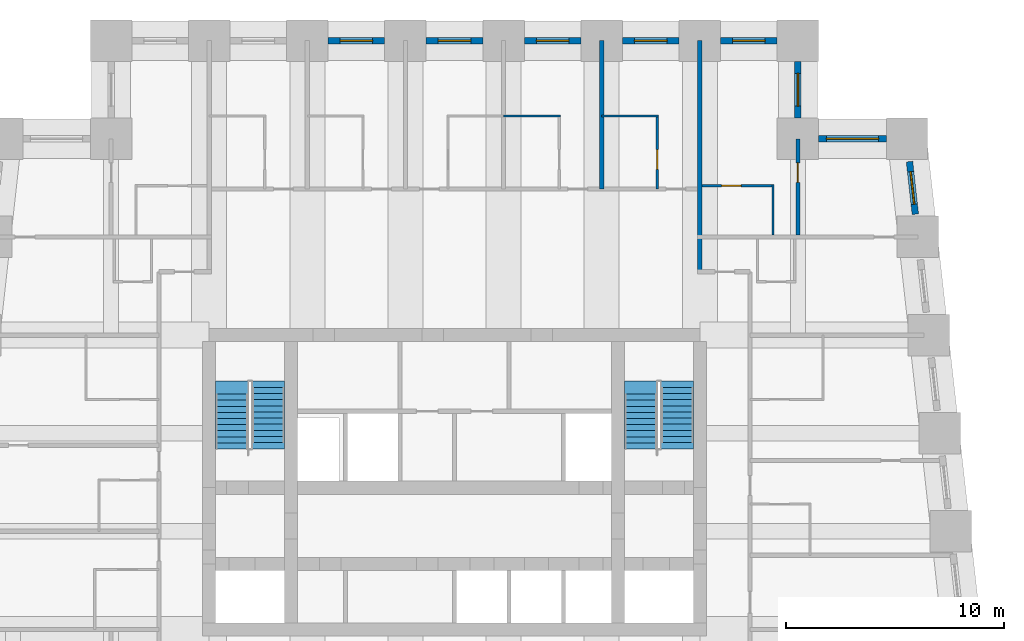
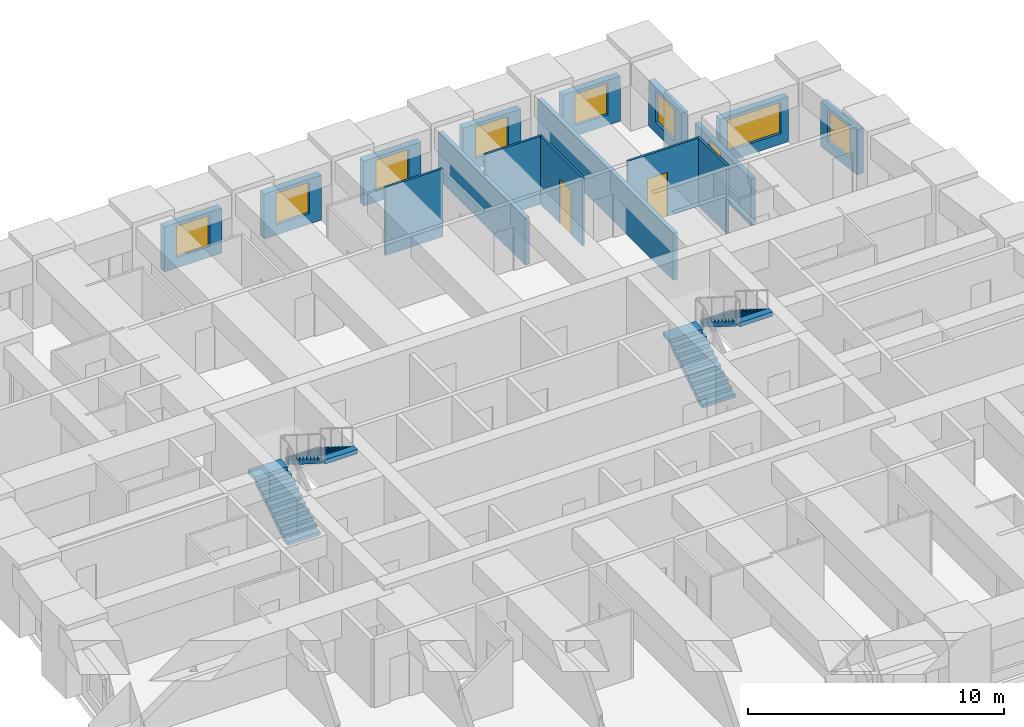
# One storey, part 7 of 8: 16 walls, 8 windows, 4 stair flights, 3 doors, 11 openings, 2 elements without a shape of their own.
"""IFC4 building model written with IfcOpenShell, lengths in metres."""

import ifcopenshell
import ifcopenshell.guid

model = None  # the IFC model being written
_history = None  # IfcOwnerHistory: only IFC2X3 demands one
_inside = {}  # id of a spatial element -> (the spatial element, [elements in it])
_under = {}  # id of a project, library or spatial element -> (it, [spatial elements below it])
_declared = {}  # id of a project -> (the project, [libraries it declares])
_typed = {}  # id of a type object -> (the type object, [elements of that type])
_made_of = {}  # id of a material, layer set ... -> (it, [elements and type objects made of it])


def new_model(schema):
    """Start an empty IFC model of exactly this schema.

    Asked for "IFC4X3", IfcOpenShell would pick the latest addendum, in which some entities
    have other attributes; the version numbers below select the first issue.
    IFC2X3 requires an IfcOwnerHistory on every rooted entity: one is made here for all.
    """
    global model, _history
    if schema == "IFC4X3":
        model = ifcopenshell.file(schema_version=(4, 3, 0, 0))
    else:
        model = ifcopenshell.file(schema=schema)
    _inside.clear()
    _under.clear()
    _declared.clear()
    _typed.clear()
    _made_of.clear()
    _history = None
    if model.schema == "IFC2X3":
        org = make("IfcOrganization", Name="unknown")
        user = make(
            "IfcPersonAndOrganization",
            ThePerson=make("IfcPerson", FamilyName="unknown"),
            TheOrganization=org,
        )
        app = make(
            "IfcApplication",
            ApplicationDeveloper=org,
            Version="unknown",
            ApplicationFullName="unknown",
            ApplicationIdentifier="unknown",
        )
        _history = make(
            "IfcOwnerHistory",
            OwningUser=user,
            OwningApplication=app,
            ChangeAction="ADDED",
            CreationDate=0,
        )
    return model


def make(cls, **values):
    """One entity of the class cls with the attributes given. An attribute that is None is left unset."""
    return model.create_entity(
        cls, **{name: value for name, value in values.items() if value is not None}
    )


def rooted(cls, **values):
    """An entity with a GlobalId (a new one), such as an element, a storey or a relation."""
    return make(cls, GlobalId=ifcopenshell.guid.new(), OwnerHistory=_history, **values)


def si_unit(unit_type, name, prefix=None):
    """IfcSIUnit, for example si_unit("LENGTHUNIT", "METRE", prefix="MILLI")."""
    return make("IfcSIUnit", UnitType=unit_type, Prefix=prefix, Name=name)


def assignment(units):
    """IfcUnitAssignment: the units of a project."""
    return None if units is None else make("IfcUnitAssignment", Units=units)


def point(xyz):
    """IfcCartesianPoint."""
    return None if xyz is None else make("IfcCartesianPoint", Coordinates=xyz)


def direction(xyz):
    """IfcDirection."""
    return None if xyz is None else make("IfcDirection", DirectionRatios=xyz)


def frame(location, z_axis=None, x_axis=None):
    """IfcAxis2Placement3D, a coordinate frame: its origin and axes. An axis left out is left unset."""
    return make(
        "IfcAxis2Placement3D",
        Location=point(location),
        Axis=direction(z_axis),
        RefDirection=direction(x_axis),
    )


def frame_2d(location, x_axis=None):
    """IfcAxis2Placement2D, a coordinate frame in the plane: its origin and x axis."""
    return make(
        "IfcAxis2Placement2D", Location=point(location), RefDirection=direction(x_axis)
    )


def origin():
    """The frame at (0, 0, 0) with its axes left unset."""
    return frame((0.0, 0.0, 0.0))


def place(relative_to, where):
    """IfcLocalPlacement: puts the frame where relative to a parent placement (None: the world)."""
    return make(
        "IfcLocalPlacement", PlacementRelTo=relative_to, RelativePlacement=where
    )


def context(
    kind, dimensions, precision=None, world=None, true_north=None, identifier=None
):
    """IfcGeometricRepresentationContext, for example the 3D "Model" context."""
    return make(
        "IfcGeometricRepresentationContext",
        ContextIdentifier=identifier,
        ContextType=kind,
        CoordinateSpaceDimension=dimensions,
        Precision=precision,
        WorldCoordinateSystem=world,
        TrueNorth=true_north,
    )


def subcontext(parent, identifier, kind, view, scale=None):
    """IfcGeometricRepresentationSubContext, for example "Body" below "Model"."""
    return make(
        "IfcGeometricRepresentationSubContext",
        ContextIdentifier=identifier,
        ContextType=kind,
        ParentContext=parent,
        TargetScale=scale,
        TargetView=view,
    )


def project(units=None, contexts=None):
    """IfcProject with its units and contexts."""
    return rooted(
        "IfcProject",
        Name="project",
        RepresentationContexts=contexts,
        UnitsInContext=assignment(units),
    )


def spatial(cls, under=None, at=None, **own):
    """A site, building, storey or space (cls), placed at a placement, below another one or the project."""
    s = rooted(cls, ObjectPlacement=at, **own)
    if under is not None:
        _under.setdefault(under.id(), (under, []))[1].append(s)
    return s


def polyline(points):
    """IfcPolyline through the points."""
    return make("IfcPolyline", Points=[point(p) for p in points])


def profile(cls, at=None, kind="AREA", **sizes):
    """A parametric profile (cls). Its sizes go by their IFC names, for example OverallWidth=200.0."""
    return make(cls, ProfileType=kind, Position=at, **sizes)


def rectangle(**sizes):
    """IfcRectangleProfileDef."""
    return profile("IfcRectangleProfileDef", **sizes)


def outline(outer, holes=None, kind="AREA"):
    """IfcArbitraryClosedProfileDef: a profile drawn as a closed curve; with holes, ...WithVoids."""
    if holes is None:
        return make("IfcArbitraryClosedProfileDef", ProfileType=kind, OuterCurve=outer)
    return make(
        "IfcArbitraryProfileDefWithVoids",
        ProfileType=kind,
        OuterCurve=outer,
        InnerCurves=holes,
    )


def extrude(swept, where, along, depth):
    """IfcExtrudedAreaSolid: the profile swept, set in the frame where, extruded along a direction by depth."""
    return make(
        "IfcExtrudedAreaSolid",
        SweptArea=swept,
        Position=where,
        ExtrudedDirection=direction(along),
        Depth=depth,
    )


def shape(context_of_items, identifier, shape_type, items):
    """IfcShapeRepresentation: the items that make up one representation, for example the "Body"."""
    return make(
        "IfcShapeRepresentation",
        ContextOfItems=context_of_items,
        RepresentationIdentifier=identifier,
        RepresentationType=shape_type,
        Items=items,
    )


def material(Name=None, Category=None):
    """IfcMaterial."""
    return make("IfcMaterial", Name=Name, Category=Category)


def layer(
    of_material, thickness, ventilated=None, Name=None, Category=None, Priority=None
):
    """IfcMaterialLayer: one layer of a wall or slab, of a material (None: an air gap)."""
    return make(
        "IfcMaterialLayer",
        Material=of_material,
        LayerThickness=thickness,
        IsVentilated=ventilated,
        Name=Name,
        Category=Category,
        Priority=Priority,
    )


def layer_set(layers, Name=None):
    """IfcMaterialLayerSet."""
    return make("IfcMaterialLayerSet", MaterialLayers=layers, LayerSetName=Name)


def made_of(thing, what):
    """Note that an element or type object is made of a material, layer set ...; save() writes the relation."""
    if what is not None:
        _made_of.setdefault(what.id(), (what, []))[1].append(thing)
    return thing


def type_object(cls, material=None, **own):
    """A type object (cls), such as IfcWallType, which elements share."""
    return made_of(rooted(cls, **own), material)


def element(
    cls,
    number,
    at=None,
    inside=None,
    cuts=None,
    type_object=None,
    material=None,
    context=None,
    identifier="Body",
    shape_type=None,
    held_by="IfcProductDefinitionShape",
    body=None,
    shapes=None,
    **own,
):
    """One element of the class cls, such as IfcWall. Its Tag is "e" and its number.

    at: its placement. inside: the storey or other place that contains it. cuts: it is an
    opening in that element (IfcRelVoidsElement). A single representation is given by context,
    identifier, shape_type and body (its items); several are given by shapes. held_by: the class
    of the entity that holds the representations. save() writes the other relations.
    """
    e = rooted(cls, Tag="e%d" % number, ObjectPlacement=at, **own)
    if body is not None:
        shapes = [shape(context, identifier, shape_type, body)]
    if shapes is not None:
        e.Representation = make(held_by, Representations=shapes)
    if inside is not None:
        _inside.setdefault(inside.id(), (inside, []))[1].append(e)
    if cuts is not None:
        rooted(
            "IfcRelVoidsElement", RelatingBuildingElement=cuts, RelatedOpeningElement=e
        )
    if type_object is not None:
        _typed.setdefault(type_object.id(), (type_object, []))[1].append(e)
    return made_of(e, material)


def fill(opening, filler):
    """IfcRelFillsElement: the door or window that sits in an opening."""
    return rooted(
        "IfcRelFillsElement",
        RelatingOpeningElement=opening,
        RelatedBuildingElement=filler,
    )


def aggregate(whole, parts):
    """IfcRelAggregates: a whole, such as a stair, and the parts it consists of."""
    return rooted("IfcRelAggregates", RelatingObject=whole, RelatedObjects=parts)


def save(model, path):
    """Write the relations noted so far, then the file.

    IfcRelAggregates (storeys below a building ...), IfcRelContainedInSpatialStructure (elements
    in a storey), IfcRelDefinesByType, IfcRelAssociatesMaterial and IfcRelDeclares: one each for
    every whole, place, type object, material and project.
    """
    for whole, parts in _under.values():
        aggregate(whole, parts)
    for where, things in _inside.values():
        rooted(
            "IfcRelContainedInSpatialStructure",
            RelatedElements=things,
            RelatingStructure=where,
        )
    for kind, things in _typed.values():
        rooted("IfcRelDefinesByType", RelatedObjects=things, RelatingType=kind)
    for what, things in _made_of.values():
        rooted("IfcRelAssociatesMaterial", RelatedObjects=things, RelatingMaterial=what)
    for by, libraries in _declared.values():
        rooted("IfcRelDeclares", RelatingContext=by, RelatedDefinitions=libraries)
    model.write(path)


model = new_model("IFC4")

# Units and contexts
model_context = context("Model", 3, precision=1e-05, world=origin(), true_north=direction((0.0, 1.0)))
body_context = subcontext(model_context, "Body", "Model", "MODEL_VIEW")
ifc_project = project(units=[si_unit("LENGTHUNIT", "METRE"), si_unit("AREAUNIT", "SQUARE_METRE"), si_unit("VOLUMEUNIT", "CUBIC_METRE"), si_unit("PLANEANGLEUNIT", "RADIAN"), si_unit("MASSUNIT", "GRAM", prefix="KILO")], contexts=[model_context])

# Site, building, storey
site_placement = place(None, origin())
site = spatial("IfcSite", under=ifc_project, at=site_placement, CompositionType="ELEMENT")
building_placement = place(site_placement, origin())
building = spatial("IfcBuilding", under=site, at=building_placement, Name="Kilele Tower Hotel", CompositionType="ELEMENT")
storey_placement = place(building_placement, frame((0.0, 0.0, 89.89990234375)))
storey = spatial("IfcBuildingStorey", under=building, at=storey_placement, Name="L22", CompositionType="ELEMENT", Elevation=89.89990234375)

# Walls
ifc_material_1 = material(Name="Moisture-resistant board")
ifc_layer_1 = layer(ifc_material_1, 0.10009765625)
ifc_layer_set_1 = layer_set([ifc_layer_1], Name="Moisture-resistant board")
wall_type_1 = type_object("IfcWallType", Name="Bathroom partition 100", PredefinedType="PLUMBINGWALL", material=ifc_layer_set_1)
for number, where, z_axis, x_axis, name in (
    (1, (27.0, 37.050048828125, 0.0), (0.0, 0.0, 1.0), (1.0, 0.0, 0.0), "Bathroom partition 100 L22"),
    (2, (31.5, 37.050048828125, 0.0), (0.0, 0.0, 1.0), (1.0, 0.0, 0.0), "Bathroom partition 100 L22"),
):
    element("IfcWall", number, at=place(storey_placement, frame(where, z_axis=z_axis, x_axis=x_axis)), inside=storey, type_object=wall_type_1, Name=name, PredefinedType="PLUMBINGWALL", context=body_context, shape_type="SweptSolid", body=[
        extrude(rectangle(XDim=2.60009765625, YDim=0.10009765625, at=frame_2d((1.300048828125, 0.0))), origin(), (0.0, 0.0, 1.0), 3.25),
    ])

# Wall, opening, door
wall_1_placement = place(storey_placement, frame((34.050048828125, 33.699951171875, 0.0), z_axis=(0.0, 0.0, 1.0), x_axis=(0.0, 1.0, 0.0)))
wall_1 = element("IfcWall", 3, at=wall_1_placement, inside=storey, type_object=wall_type_1, Name="Bathroom partition 100 L22", PredefinedType="PLUMBINGWALL", context=body_context, shape_type="SweptSolid", body=[
    extrude(rectangle(XDim=3.400146484375, YDim=0.10009765625, at=frame_2d((1.7001953125, 0.0))), origin(), (0.0, 0.0, 1.0), 3.25),
])
opening_1_placement = place(wall_1_placement, frame((1.7998046875, 0.0, 0.0), z_axis=(0.0, 0.0, 1.0), x_axis=(-1.0, 0.0, 0.0)))
opening_1 = element("IfcOpeningElement", 4, at=opening_1_placement, cuts=wall_1, Name="Opening D2A", PredefinedType="OPENING", context=body_context, shape_type="SweptSolid", body=[
    extrude(rectangle(XDim=0.89990234375, YDim=2.10009765625, at=frame_2d((0.449951171875, 1.050048828125))), frame((0.0, 0.06005859375, 0.0), z_axis=(0.0, -1.0, 0.0), x_axis=(1.0, 0.0, 0.0)), (0.0, 0.0, 1.0), 0.1201171875),
])
ifc_material_2 = material(Name="Timber door leaf in hardwood frame", Category="wood")
door_type_1 = type_object("IfcDoorType", Name="Bathroom door 900", OperationType="SINGLE_SWING_LEFT", PredefinedType="DOOR", material=ifc_material_2)
door_1_placement = place(opening_1_placement, origin())
door_1 = element("IfcDoor", 5, at=door_1_placement, inside=storey, type_object=door_type_1, Name="Bathroom door 2213B", OperationType="SINGLE_SWING_RIGHT", OverallHeight=2.10009765625, OverallWidth=0.89990234375, PredefinedType="DOOR", context=body_context, shape_type="SweptSolid", body=[
    extrude(rectangle(XDim=0.89990234375, YDim=2.10009765625, at=frame_2d((0.449951171875, 1.050048828125))), frame((0.0, 0.02490234375, 0.0), z_axis=(0.0, -1.0, 0.0), x_axis=(1.0, 0.0, 0.0)), (0.0, 0.0, 1.0), 0.050048828125),
])
fill(opening_1, door_1)

# Wall
wall_2_placement = place(storey_placement, frame((39.35009765625, 31.60009765625, 0.0), z_axis=(0.0, 0.0, 1.0), x_axis=(0.0, 1.0, 0.0)))
element("IfcWall", 6, at=wall_2_placement, inside=storey, type_object=wall_type_1, Name="Bathroom partition 100 L22", PredefinedType="PLUMBINGWALL", context=body_context, shape_type="SweptSolid", body=[
    extrude(rectangle(XDim=2.2998046875, YDim=0.10009765625, at=frame_2d((1.14990234375, 0.0))), origin(), (0.0, 0.0, 1.0), 3.25),
])

# Wall, opening, door
wall_3_placement = place(storey_placement, frame((36.10009765625, 33.85009765625, 0.0), z_axis=(0.0, 0.0, 1.0), x_axis=(1.0, 0.0, 0.0)))
wall_3 = element("IfcWall", 7, at=wall_3_placement, inside=storey, type_object=wall_type_1, Name="Bathroom partition 100 L22", PredefinedType="PLUMBINGWALL", context=body_context, shape_type="SweptSolid", body=[
    extrude(rectangle(XDim=3.2998046875, YDim=0.10009765625, at=frame_2d((1.64990234375, 0.0))), origin(), (0.0, 0.0, 1.0), 3.25),
])
opening_2_placement = place(wall_3_placement, frame((0.89990234375, 0.0, 0.0)))
opening_2 = element("IfcOpeningElement", 8, at=opening_2_placement, cuts=wall_3, Name="Opening D2A", PredefinedType="OPENING", context=body_context, shape_type="SweptSolid", body=[
    extrude(rectangle(XDim=0.89990234375, YDim=2.10009765625, at=frame_2d((0.449951171875, 1.050048828125))), frame((0.0, 0.06005859375, 0.0), z_axis=(0.0, -1.0, 0.0), x_axis=(1.0, 0.0, 0.0)), (0.0, 0.0, 1.0), 0.1201171875),
])
door_2_placement = place(opening_2_placement, origin())
door_2 = element("IfcDoor", 9, at=door_2_placement, inside=storey, type_object=door_type_1, Name="Bathroom door 2224B", OperationType="SINGLE_SWING_LEFT", OverallHeight=2.10009765625, OverallWidth=0.89990234375, PredefinedType="DOOR", context=body_context, shape_type="SweptSolid", body=[
    extrude(rectangle(XDim=0.89990234375, YDim=2.10009765625, at=frame_2d((0.449951171875, 1.050048828125))), frame((0.0, 0.02490234375, 0.0), z_axis=(0.0, -1.0, 0.0), x_axis=(1.0, 0.0, 0.0)), (0.0, 0.0, 1.0), 0.050048828125),
])
fill(opening_2, door_2)

ifc_material_3 = material(Name="Blockwork, plastered both sides", Category="masonry")
ifc_layer_2 = layer(ifc_material_3, 0.199951171875)
ifc_layer_set_2 = layer_set([ifc_layer_2], Name="Blockwork, plastered both sides")
wall_type_2 = type_object("IfcWallType", Name="Partition wall 200", PredefinedType="PARTITIONING", material=ifc_layer_set_2)
wall_4_placement = place(storey_placement, frame((40.5, 31.60009765625, 0.0), z_axis=(0.0, 0.0, 1.0), x_axis=(0.0, 1.0, 0.0)))
wall_4 = element("IfcWall", 10, at=wall_4_placement, inside=storey, type_object=wall_type_2, Name="Partition wall 200 L22", PredefinedType="PARTITIONING", context=body_context, shape_type="SweptSolid", body=[
    extrude(rectangle(XDim=4.39990234375, YDim=0.199951171875, at=frame_2d((2.199951171875, 0.0))), origin(), (0.0, 0.0, 1.0), 2.25),
])
opening_3_placement = place(wall_4_placement, frame((2.39990234375, 0.0, 0.0)))
opening_3 = element("IfcOpeningElement", 11, at=opening_3_placement, cuts=wall_4, Name="Opening D3", PredefinedType="OPENING", context=body_context, shape_type="SweptSolid", body=[
    extrude(rectangle(XDim=0.89990234375, YDim=2.10009765625, at=frame_2d((0.449951171875, 1.050048828125))), frame((0.0, 0.10986328125, 0.0), z_axis=(0.0, -1.0, 0.0), x_axis=(1.0, 0.0, 0.0)), (0.0, 0.0, 1.0), 0.219970703125),
])
ifc_material_4 = material(Name="Timber door leaf in hardwood frame", Category="wood")
door_type_2 = type_object("IfcDoorType", Name="Suite internal door 900", OperationType="SINGLE_SWING_LEFT", PredefinedType="DOOR", material=ifc_material_4)
door_3_placement = place(opening_3_placement, origin())
door_3 = element("IfcDoor", 12, at=door_3_placement, inside=storey, type_object=door_type_2, Name="Suite door 2225", OperationType="SINGLE_SWING_RIGHT", OverallHeight=2.10009765625, OverallWidth=0.89990234375, PredefinedType="DOOR", context=body_context, shape_type="SweptSolid", body=[
    extrude(rectangle(XDim=0.89990234375, YDim=2.10009765625, at=frame_2d((0.449951171875, 1.050048828125))), frame((0.0, 0.02490234375, 0.0), z_axis=(0.0, -1.0, 0.0), x_axis=(1.0, 0.0, 0.0)), (0.0, 0.0, 1.0), 0.050048828125),
])
fill(opening_3, door_3)

# Walls
ifc_material_5 = material(Name="Blockwork, plastered both sides", Category="masonry")
ifc_layer_3 = layer(ifc_material_5, 0.199951171875)
ifc_layer_set_3 = layer_set([ifc_layer_3], Name="Blockwork, plastered both sides")
wall_type_3 = type_object("IfcWallType", Name="Party wall 200", PredefinedType="PARTITIONING", material=ifc_layer_set_3)
wall_5_placement = place(storey_placement, frame((31.5, 33.699951171875, 0.0), z_axis=(0.0, 0.0, 1.0), x_axis=(0.0, 1.0, 0.0)))
element("IfcWall", 13, at=wall_5_placement, inside=storey, type_object=wall_type_3, Name="Party wall 200 L22", PredefinedType="PARTITIONING", context=body_context, shape_type="SweptSolid", body=[
    extrude(rectangle(XDim=6.800048828125, YDim=0.199951171875, at=frame_2d((3.39990234375, 0.0))), origin(), (0.0, 0.0, 1.0), 2.25),
])
wall_6_placement = place(storey_placement, frame((36.0, 29.89990234375, 0.0), z_axis=(0.0, 0.0, 1.0), x_axis=(0.0, 1.0, 0.0)))
element("IfcWall", 14, at=wall_6_placement, inside=storey, type_object=wall_type_3, Name="Party wall 200 L22", PredefinedType="PARTITIONING", context=body_context, shape_type="SweptSolid", body=[
    extrude(rectangle(XDim=10.60009765625, YDim=0.199951171875, at=frame_2d((5.300048828125, 0.0))), origin(), (0.0, 0.0, 1.0), 2.25),
])

# Wall, opening, window
ifc_material_6 = material(Name="Concrete C40/50 precast", Category="concrete")
ifc_layer_4 = layer(ifc_material_6, 0.260009765625, Name="Precast backing", Category="LoadBearing")
ifc_material_7 = material(Name="Reconstituted stone finish", Category="masonry")
ifc_layer_5 = layer(ifc_material_7, 0.0400390625, Name="Face mix", Category="Finish")
ifc_layer_set_4 = layer_set([ifc_layer_4, ifc_layer_5], Name="Precast concrete C40/50, reconstituted stone finish")
wall_type_4 = type_object("IfcWallType", Name="Precast stone facade wall 300", PredefinedType="STANDARD", material=ifc_layer_set_4)
wall_7_placement = place(storey_placement, frame((45.884033203125, 32.542724609375, 0.0), z_axis=(0.0, 0.0, 1.0), x_axis=(-0.110343286306, 0.993893535127, 0.0)))
wall_7 = element("IfcWall", 15, at=wall_7_placement, inside=storey, type_object=wall_type_4, Name="Facade wall L22 edge 6 bay 7", PredefinedType="STANDARD", context=body_context, shape_type="SweptSolid", body=[
    extrude(rectangle(XDim=2.429443359375, YDim=0.300048828125, at=frame_2d((1.21484375, 0.0))), origin(), (0.0, 0.0, 1.0), 2.150146484375),
])
opening_4_placement = place(wall_7_placement, frame((0.464599609375, 0.0, 0.5)))
opening_4 = element("IfcOpeningElement", 16, at=opening_4_placement, cuts=wall_7, Name="Opening W2", PredefinedType="OPENING", context=body_context, shape_type="SweptSolid", body=[
    extrude(rectangle(XDim=1.5, YDim=1.5, at=frame_2d((0.75, 0.75))), frame((0.0, 0.159912109375, 0.0), z_axis=(0.0, -1.0, 0.0), x_axis=(1.0, 0.0, 0.0)), (0.0, 0.0, 1.0), 0.320068359375),
])
ifc_material_8 = material(Name="Aluminium frame, clear double glazing", Category="aluminium")
window_type_1 = type_object("IfcWindowType", Name="Window W2 1500 x 1500", PartitioningType="SINGLE_PANEL", PredefinedType="WINDOW", material=ifc_material_8)
window_1_placement = place(opening_4_placement, origin())
window_1 = element("IfcWindow", 17, at=window_1_placement, inside=storey, type_object=window_type_1, Name="Window L22", OverallHeight=1.5, OverallWidth=1.5, PartitioningType="SINGLE_PANEL", PredefinedType="WINDOW", context=body_context, shape_type="SweptSolid", body=[
    extrude(rectangle(XDim=1.5, YDim=1.5, at=frame_2d((0.75, 0.75))), frame((0.0, 0.030029296875, 0.0), z_axis=(0.0, -1.0, 0.0), x_axis=(1.0, 0.0, 0.0)), (0.0, 0.0, 1.0), 0.06005859375),
])
fill(opening_4, window_1)

wall_8_placement = place(storey_placement, frame((44.550048828125, 36.0, 0.0), z_axis=(0.0, 0.0, 1.0), x_axis=(-1.0, 0.0, 0.0)))
wall_8 = element("IfcWall", 18, at=wall_8_placement, inside=storey, type_object=wall_type_4, Name="Facade wall L22 edge 7 bay 1", PredefinedType="STANDARD", context=body_context, shape_type="SweptSolid", body=[
    extrude(rectangle(XDim=3.10009765625, YDim=0.300048828125, at=frame_2d((1.550048828125, 0.0))), origin(), (0.0, 0.0, 1.0), 2.150146484375),
])
opening_5_placement = place(wall_8_placement, frame((0.35009765625, 0.0, 0.5)))
opening_5 = element("IfcOpeningElement", 19, at=opening_5_placement, cuts=wall_8, Name="Opening W2", PredefinedType="OPENING", context=body_context, shape_type="SweptSolid", body=[
    extrude(rectangle(XDim=2.39990234375, YDim=1.5, at=frame_2d((1.199951171875, 0.75))), frame((0.0, 0.159912109375, 0.0), z_axis=(0.0, -1.0, 0.0), x_axis=(1.0, 0.0, 0.0)), (0.0, 0.0, 1.0), 0.320068359375),
])
ifc_material_9 = material(Name="Aluminium frame, clear double glazing", Category="aluminium")
window_type_2 = type_object("IfcWindowType", Name="Window W2 2400 x 1500", PartitioningType="SINGLE_PANEL", PredefinedType="WINDOW", material=ifc_material_9)
window_2_placement = place(opening_5_placement, origin())
window_2 = element("IfcWindow", 20, at=window_2_placement, inside=storey, type_object=window_type_2, Name="Window L22", OverallHeight=1.5, OverallWidth=2.39990234375, PartitioningType="SINGLE_PANEL", PredefinedType="WINDOW", context=body_context, shape_type="SweptSolid", body=[
    extrude(rectangle(XDim=2.39990234375, YDim=1.5, at=frame_2d((1.199951171875, 0.75))), frame((0.0, 0.030029296875, 0.0), z_axis=(0.0, -1.0, 0.0), x_axis=(1.0, 0.0, 0.0)), (0.0, 0.0, 1.0), 0.06005859375),
])
fill(opening_5, window_2)

wall_9_placement = place(storey_placement, frame((40.5, 36.949951171875, 0.0), z_axis=(0.0, 0.0, 1.0), x_axis=(0.0, 1.0, 0.0)))
wall_9 = element("IfcWall", 21, at=wall_9_placement, inside=storey, type_object=wall_type_4, Name="Facade wall L22 edge 8 bay 1", PredefinedType="STANDARD", context=body_context, shape_type="SweptSolid", body=[
    extrude(rectangle(XDim=2.60009765625, YDim=0.300048828125, at=frame_2d((1.300048828125, 0.0))), origin(), (0.0, 0.0, 1.0), 2.150146484375),
])
opening_6_placement = place(wall_9_placement, frame((0.550048828125, 0.0, 0.5)))
opening_6 = element("IfcOpeningElement", 22, at=opening_6_placement, cuts=wall_9, Name="Opening W2", PredefinedType="OPENING", context=body_context, shape_type="SweptSolid", body=[
    extrude(rectangle(XDim=1.5, YDim=1.5, at=frame_2d((0.75, 0.75))), frame((0.0, 0.159912109375, 0.0), z_axis=(0.0, -1.0, 0.0), x_axis=(1.0, 0.0, 0.0)), (0.0, 0.0, 1.0), 0.320068359375),
])
window_3_placement = place(opening_6_placement, origin())
window_3 = element("IfcWindow", 23, at=window_3_placement, inside=storey, type_object=window_type_1, Name="Window L22", OverallHeight=1.5, OverallWidth=1.5, PartitioningType="SINGLE_PANEL", PredefinedType="WINDOW", context=body_context, shape_type="SweptSolid", body=[
    extrude(rectangle(XDim=1.5, YDim=1.5, at=frame_2d((0.75, 0.75))), frame((0.0, 0.030029296875, 0.0), z_axis=(0.0, -1.0, 0.0), x_axis=(1.0, 0.0, 0.0)), (0.0, 0.0, 1.0), 0.06005859375),
])
fill(opening_6, window_3)

wall_10_placement = place(storey_placement, frame((39.550048828125, 40.5, 0.0), z_axis=(0.0, 0.0, 1.0), x_axis=(-1.0, 0.0, 0.0)))
wall_10 = element("IfcWall", 24, at=wall_10_placement, inside=storey, type_object=wall_type_4, Name="Facade wall L22 edge 9 bay 1", PredefinedType="STANDARD", context=body_context, shape_type="SweptSolid", body=[
    extrude(rectangle(XDim=2.60009765625, YDim=0.300048828125, at=frame_2d((1.300048828125, 0.0))), origin(), (0.0, 0.0, 1.0), 2.150146484375),
])
opening_7_placement = place(wall_10_placement, frame((0.550048828125, 0.0, 0.5)))
opening_7 = element("IfcOpeningElement", 25, at=opening_7_placement, cuts=wall_10, Name="Opening W2", PredefinedType="OPENING", context=body_context, shape_type="SweptSolid", body=[
    extrude(rectangle(XDim=1.5, YDim=1.5, at=frame_2d((0.75, 0.75))), frame((0.0, 0.159912109375, 0.0), z_axis=(0.0, -1.0, 0.0), x_axis=(1.0, 0.0, 0.0)), (0.0, 0.0, 1.0), 0.320068359375),
])
window_4_placement = place(opening_7_placement, origin())
window_4 = element("IfcWindow", 26, at=window_4_placement, inside=storey, type_object=window_type_1, Name="Window L22", OverallHeight=1.5, OverallWidth=1.5, PartitioningType="SINGLE_PANEL", PredefinedType="WINDOW", context=body_context, shape_type="SweptSolid", body=[
    extrude(rectangle(XDim=1.5, YDim=1.5, at=frame_2d((0.75, 0.75))), frame((0.0, 0.030029296875, 0.0), z_axis=(0.0, -1.0, 0.0), x_axis=(1.0, 0.0, 0.0)), (0.0, 0.0, 1.0), 0.06005859375),
])
fill(opening_7, window_4)

wall_11_placement = place(storey_placement, frame((35.050048828125, 40.5, 0.0), z_axis=(0.0, 0.0, 1.0), x_axis=(-1.0, 0.0, 0.0)))
wall_11 = element("IfcWall", 27, at=wall_11_placement, inside=storey, type_object=wall_type_4, Name="Facade wall L22 edge 9 bay 2", PredefinedType="STANDARD", context=body_context, shape_type="SweptSolid", body=[
    extrude(rectangle(XDim=2.60009765625, YDim=0.300048828125, at=frame_2d((1.300048828125, 0.0))), origin(), (0.0, 0.0, 1.0), 2.150146484375),
])
opening_8_placement = place(wall_11_placement, frame((0.550048828125, 0.0, 0.5)))
opening_8 = element("IfcOpeningElement", 28, at=opening_8_placement, cuts=wall_11, Name="Opening W2", PredefinedType="OPENING", context=body_context, shape_type="SweptSolid", body=[
    extrude(rectangle(XDim=1.5, YDim=1.5, at=frame_2d((0.75, 0.75))), frame((0.0, 0.159912109375, 0.0), z_axis=(0.0, -1.0, 0.0), x_axis=(1.0, 0.0, 0.0)), (0.0, 0.0, 1.0), 0.320068359375),
])
window_5_placement = place(opening_8_placement, origin())
window_5 = element("IfcWindow", 29, at=window_5_placement, inside=storey, type_object=window_type_1, Name="Window L22", OverallHeight=1.5, OverallWidth=1.5, PartitioningType="SINGLE_PANEL", PredefinedType="WINDOW", context=body_context, shape_type="SweptSolid", body=[
    extrude(rectangle(XDim=1.5, YDim=1.5, at=frame_2d((0.75, 0.75))), frame((0.0, 0.030029296875, 0.0), z_axis=(0.0, -1.0, 0.0), x_axis=(1.0, 0.0, 0.0)), (0.0, 0.0, 1.0), 0.06005859375),
])
fill(opening_8, window_5)

wall_12_placement = place(storey_placement, frame((30.550048828125, 40.5, 0.0), z_axis=(0.0, 0.0, 1.0), x_axis=(-1.0, 0.0, 0.0)))
wall_12 = element("IfcWall", 30, at=wall_12_placement, inside=storey, type_object=wall_type_4, Name="Facade wall L22 edge 9 bay 3", PredefinedType="STANDARD", context=body_context, shape_type="SweptSolid", body=[
    extrude(rectangle(XDim=2.60009765625, YDim=0.300048828125, at=frame_2d((1.300048828125, 0.0))), origin(), (0.0, 0.0, 1.0), 2.150146484375),
])
opening_9_placement = place(wall_12_placement, frame((0.550048828125, 0.0, 0.5)))
opening_9 = element("IfcOpeningElement", 31, at=opening_9_placement, cuts=wall_12, Name="Opening W2", PredefinedType="OPENING", context=body_context, shape_type="SweptSolid", body=[
    extrude(rectangle(XDim=1.5, YDim=1.5, at=frame_2d((0.75, 0.75))), frame((0.0, 0.159912109375, 0.0), z_axis=(0.0, -1.0, 0.0), x_axis=(1.0, 0.0, 0.0)), (0.0, 0.0, 1.0), 0.320068359375),
])
window_6_placement = place(opening_9_placement, origin())
window_6 = element("IfcWindow", 32, at=window_6_placement, inside=storey, type_object=window_type_1, Name="Window L22", OverallHeight=1.5, OverallWidth=1.5, PartitioningType="SINGLE_PANEL", PredefinedType="WINDOW", context=body_context, shape_type="SweptSolid", body=[
    extrude(rectangle(XDim=1.5, YDim=1.5, at=frame_2d((0.75, 0.75))), frame((0.0, 0.030029296875, 0.0), z_axis=(0.0, -1.0, 0.0), x_axis=(1.0, 0.0, 0.0)), (0.0, 0.0, 1.0), 0.06005859375),
])
fill(opening_9, window_6)

wall_13_placement = place(storey_placement, frame((26.050048828125, 40.5, 0.0), z_axis=(0.0, 0.0, 1.0), x_axis=(-1.0, 0.0, 0.0)))
wall_13 = element("IfcWall", 33, at=wall_13_placement, inside=storey, type_object=wall_type_4, Name="Facade wall L22 edge 9 bay 4", PredefinedType="STANDARD", context=body_context, shape_type="SweptSolid", body=[
    extrude(rectangle(XDim=2.60009765625, YDim=0.300048828125, at=frame_2d((1.300048828125, 0.0))), origin(), (0.0, 0.0, 1.0), 2.150146484375),
])
opening_10_placement = place(wall_13_placement, frame((0.550048828125, 0.0, 0.5)))
opening_10 = element("IfcOpeningElement", 34, at=opening_10_placement, cuts=wall_13, Name="Opening W2", PredefinedType="OPENING", context=body_context, shape_type="SweptSolid", body=[
    extrude(rectangle(XDim=1.5, YDim=1.5, at=frame_2d((0.75, 0.75))), frame((0.0, 0.159912109375, 0.0), z_axis=(0.0, -1.0, 0.0), x_axis=(1.0, 0.0, 0.0)), (0.0, 0.0, 1.0), 0.320068359375),
])
window_7_placement = place(opening_10_placement, origin())
window_7 = element("IfcWindow", 35, at=window_7_placement, inside=storey, type_object=window_type_1, Name="Window L22", OverallHeight=1.5, OverallWidth=1.5, PartitioningType="SINGLE_PANEL", PredefinedType="WINDOW", context=body_context, shape_type="SweptSolid", body=[
    extrude(rectangle(XDim=1.5, YDim=1.5, at=frame_2d((0.75, 0.75))), frame((0.0, 0.030029296875, 0.0), z_axis=(0.0, -1.0, 0.0), x_axis=(1.0, 0.0, 0.0)), (0.0, 0.0, 1.0), 0.06005859375),
])
fill(opening_10, window_7)

wall_14_placement = place(storey_placement, frame((21.550048828125, 40.5, 0.0), z_axis=(0.0, 0.0, 1.0), x_axis=(-1.0, 0.0, 0.0)))
wall_14 = element("IfcWall", 36, at=wall_14_placement, inside=storey, type_object=wall_type_4, Name="Facade wall L22 edge 9 bay 5", PredefinedType="STANDARD", context=body_context, shape_type="SweptSolid", body=[
    extrude(rectangle(XDim=2.60009765625, YDim=0.300048828125, at=frame_2d((1.300048828125, 0.0))), origin(), (0.0, 0.0, 1.0), 2.150146484375),
])
opening_11_placement = place(wall_14_placement, frame((0.550048828125, 0.0, 0.5)))
opening_11 = element("IfcOpeningElement", 37, at=opening_11_placement, cuts=wall_14, Name="Opening W2", PredefinedType="OPENING", context=body_context, shape_type="SweptSolid", body=[
    extrude(rectangle(XDim=1.5, YDim=1.5, at=frame_2d((0.75, 0.75))), frame((0.0, 0.159912109375, 0.0), z_axis=(0.0, -1.0, 0.0), x_axis=(1.0, 0.0, 0.0)), (0.0, 0.0, 1.0), 0.320068359375),
])
window_8_placement = place(opening_11_placement, origin())
window_8 = element("IfcWindow", 38, at=window_8_placement, inside=storey, type_object=window_type_1, Name="Window L22", OverallHeight=1.5, OverallWidth=1.5, PartitioningType="SINGLE_PANEL", PredefinedType="WINDOW", context=body_context, shape_type="SweptSolid", body=[
    extrude(rectangle(XDim=1.5, YDim=1.5, at=frame_2d((0.75, 0.75))), frame((0.0, 0.030029296875, 0.0), z_axis=(0.0, -1.0, 0.0), x_axis=(1.0, 0.0, 0.0)), (0.0, 0.0, 1.0), 0.06005859375),
])
fill(opening_11, window_8)

# Stair, stair flights
ifc_material_10 = material(Name="Precast concrete C40/50", Category="concrete")
stair_type = type_object("IfcStairType", Name="Stair 1475 x 3500", PredefinedType="HALF_TURN_STAIR", material=ifc_material_10)
stair_1_placement = place(storey_placement, origin())
stair_1 = element("IfcStair", 39, at=stair_1_placement, inside=storey, type_object=stair_type, Name="Stair 1 L22", PredefinedType="HALF_TURN_STAIR")
ifc_material_11 = material(Name="Precast concrete C40/50", Category="concrete")
stair_flight_type = type_object("IfcStairFlightType", Name="Flight 1475 riser 175.0", PredefinedType="STRAIGHT", material=ifc_material_11)
stair_flight_1_placement = place(storey_placement, frame((14.53759765625, 21.77490234375, 0.0), z_axis=(0.0, 0.0, 1.0), x_axis=(0.0, 1.0, 0.0)))
stair_flight_1 = element("IfcStairFlight", 40, at=stair_flight_1_placement, type_object=stair_flight_type, Name="ST1 flight 1", NumberOfRisers=10, NumberOfTreads=9, PredefinedType="STRAIGHT", RiserHeight=0.175, TreadLength=0.28, context=body_context, shape_type="SweptSolid", body=[
    extrude(outline(polyline([(0.0, 0.0), (0.0, 0.175048828125), (0.280029296875, 0.175048828125), (0.280029296875, 0.35009765625), (0.56005859375, 0.35009765625), (0.56005859375, 0.52490234375), (0.840087890625, 0.52490234375), (0.840087890625, 0.699951171875), (1.1201171875, 0.699951171875), (1.1201171875, 0.875), (1.39990234375, 0.875), (1.39990234375, 1.050048828125), (1.679931640625, 1.050048828125), (1.679931640625, 1.22509765625), (1.9599609375, 1.22509765625), (1.9599609375, 1.39990234375), (2.239990234375, 1.39990234375), (2.239990234375, 1.574951171875), (2.52001953125, 1.574951171875), (2.52001953125, 1.75), (2.52001953125, 1.398193359375), (0.28271484375, 0.0), (0.0, 0.0)])), frame((0.0, 0.737548828125, 0.0), z_axis=(0.0, -1.0, 0.0), x_axis=(1.0, 0.0, 0.0)), (0.0, 0.0, 1.0), 1.47509765625),
    extrude(outline(polyline([(2.52001953125, 0.737548828125), (2.52001953125, -0.7373046875), (3.1201171875, -0.7373046875), (3.1201171875, 0.737548828125), (2.52001953125, 0.737548828125)])), frame((0.0, 0.0, 1.550048828125)), (0.0, 0.0, 1.0), 0.199951171875),
])
stair_flight_2_placement = place(storey_placement, frame((16.21240234375, 24.594970703125, 1.75), z_axis=(0.0, 0.0, 1.0), x_axis=(0.0, -1.0, 0.0)))
stair_flight_2 = element("IfcStairFlight", 41, at=stair_flight_2_placement, type_object=stair_flight_type, Name="ST1 flight 2", NumberOfRisers=10, NumberOfTreads=9, PredefinedType="STRAIGHT", RiserHeight=0.175, TreadLength=0.28, context=body_context, shape_type="SweptSolid", body=[
    extrude(outline(polyline([(0.0, 0.0), (0.0, 0.175048828125), (0.280029296875, 0.175048828125), (0.280029296875, 0.35009765625), (0.56005859375, 0.35009765625), (0.56005859375, 0.52490234375), (0.840087890625, 0.52490234375), (0.840087890625, 0.699951171875), (1.1201171875, 0.699951171875), (1.1201171875, 0.875), (1.39990234375, 0.875), (1.39990234375, 1.050048828125), (1.679931640625, 1.050048828125), (1.679931640625, 1.22509765625), (1.9599609375, 1.22509765625), (1.9599609375, 1.39990234375), (2.239990234375, 1.39990234375), (2.239990234375, 1.574951171875), (2.52001953125, 1.574951171875), (2.52001953125, 1.75), (2.52001953125, 1.398193359375), (0.28271484375, 0.0), (0.0, 0.0)])), frame((0.0, 0.737548828125, 0.0), z_axis=(0.0, -1.0, 0.0), x_axis=(1.0, 0.0, 0.0)), (0.0, 0.0, 1.0), 1.47509765625),
    extrude(outline(polyline([(0.0, -0.7373046875), (0.0, 0.737548828125), (-0.300048828125, 0.737548828125), (-0.300048828125, -0.7373046875), (0.0, -0.7373046875)])), frame((0.0, 0.0, -0.199951171875)), (0.0, 0.0, 1.0), 0.199951171875),
    extrude(outline(polyline([(2.820068359375, -0.7373046875), (2.820068359375, 0.737548828125), (2.52001953125, 0.737548828125), (2.52001953125, -0.7373046875), (2.820068359375, -0.7373046875)])), frame((0.0, 0.0, 1.550048828125)), (0.0, 0.0, 1.0), 0.199951171875),
])
aggregate(stair_1, [stair_flight_1, stair_flight_2])

stair_2_placement = place(storey_placement, origin())
stair_2 = element("IfcStair", 42, at=stair_2_placement, inside=storey, type_object=stair_type, Name="Stair 2 L22", PredefinedType="HALF_TURN_STAIR")
stair_flight_3_placement = place(storey_placement, frame((33.28759765625, 21.77490234375, 0.0), z_axis=(0.0, 0.0, 1.0), x_axis=(0.0, 1.0, 0.0)))
stair_flight_3 = element("IfcStairFlight", 43, at=stair_flight_3_placement, type_object=stair_flight_type, Name="ST2 flight 1", NumberOfRisers=10, NumberOfTreads=9, PredefinedType="STRAIGHT", RiserHeight=0.175, TreadLength=0.28, context=body_context, shape_type="SweptSolid", body=[
    extrude(outline(polyline([(0.0, 0.0), (0.0, 0.175048828125), (0.280029296875, 0.175048828125), (0.280029296875, 0.35009765625), (0.56005859375, 0.35009765625), (0.56005859375, 0.52490234375), (0.840087890625, 0.52490234375), (0.840087890625, 0.699951171875), (1.1201171875, 0.699951171875), (1.1201171875, 0.875), (1.39990234375, 0.875), (1.39990234375, 1.050048828125), (1.679931640625, 1.050048828125), (1.679931640625, 1.22509765625), (1.9599609375, 1.22509765625), (1.9599609375, 1.39990234375), (2.239990234375, 1.39990234375), (2.239990234375, 1.574951171875), (2.52001953125, 1.574951171875), (2.52001953125, 1.75), (2.52001953125, 1.398193359375), (0.28271484375, 0.0), (0.0, 0.0)])), frame((0.0, 0.737548828125, 0.0), z_axis=(0.0, -1.0, 0.0), x_axis=(1.0, 0.0, 0.0)), (0.0, 0.0, 1.0), 1.47509765625),
    extrude(outline(polyline([(2.52001953125, 0.737548828125), (2.52001953125, -0.7373046875), (3.1201171875, -0.7373046875), (3.1201171875, 0.737548828125), (2.52001953125, 0.737548828125)])), frame((0.0, 0.0, 1.550048828125)), (0.0, 0.0, 1.0), 0.199951171875),
])
stair_flight_4_placement = place(storey_placement, frame((34.96240234375, 24.594970703125, 1.75), z_axis=(0.0, 0.0, 1.0), x_axis=(0.0, -1.0, 0.0)))
stair_flight_4 = element("IfcStairFlight", 44, at=stair_flight_4_placement, type_object=stair_flight_type, Name="ST2 flight 2", NumberOfRisers=10, NumberOfTreads=9, PredefinedType="STRAIGHT", RiserHeight=0.175, TreadLength=0.28, context=body_context, shape_type="SweptSolid", body=[
    extrude(outline(polyline([(0.0, 0.0), (0.0, 0.175048828125), (0.280029296875, 0.175048828125), (0.280029296875, 0.35009765625), (0.56005859375, 0.35009765625), (0.56005859375, 0.52490234375), (0.840087890625, 0.52490234375), (0.840087890625, 0.699951171875), (1.1201171875, 0.699951171875), (1.1201171875, 0.875), (1.39990234375, 0.875), (1.39990234375, 1.050048828125), (1.679931640625, 1.050048828125), (1.679931640625, 1.22509765625), (1.9599609375, 1.22509765625), (1.9599609375, 1.39990234375), (2.239990234375, 1.39990234375), (2.239990234375, 1.574951171875), (2.52001953125, 1.574951171875), (2.52001953125, 1.75), (2.52001953125, 1.398193359375), (0.28271484375, 0.0), (0.0, 0.0)])), frame((0.0, 0.737548828125, 0.0), z_axis=(0.0, -1.0, 0.0), x_axis=(1.0, 0.0, 0.0)), (0.0, 0.0, 1.0), 1.47509765625),
    extrude(outline(polyline([(0.0, -0.7373046875), (0.0, 0.737548828125), (-0.300048828125, 0.737548828125), (-0.300048828125, -0.7373046875), (0.0, -0.7373046875)])), frame((0.0, 0.0, -0.199951171875)), (0.0, 0.0, 1.0), 0.199951171875),
    extrude(outline(polyline([(2.820068359375, -0.7373046875), (2.820068359375, 0.737548828125), (2.52001953125, 0.737548828125), (2.52001953125, -0.7373046875), (2.820068359375, -0.7373046875)])), frame((0.0, 0.0, 1.550048828125)), (0.0, 0.0, 1.0), 0.199951171875),
])
aggregate(stair_2, [stair_flight_3, stair_flight_4])

save(model, "model.ifc")
